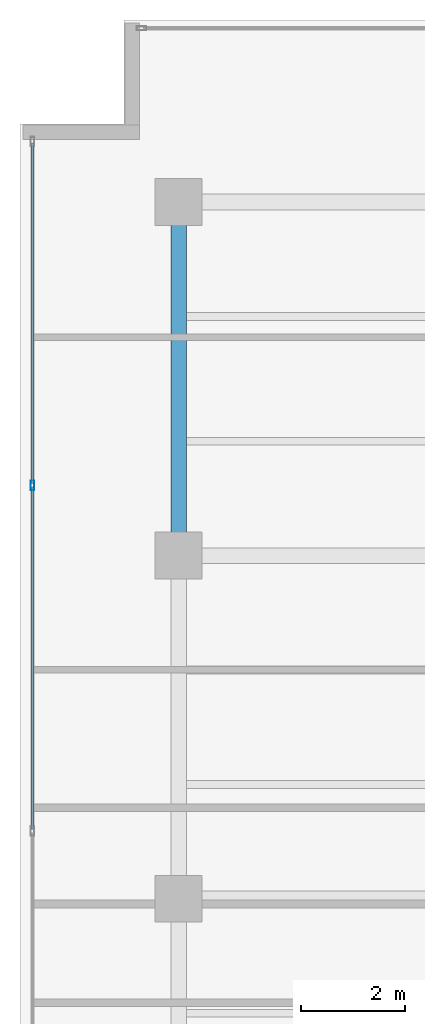
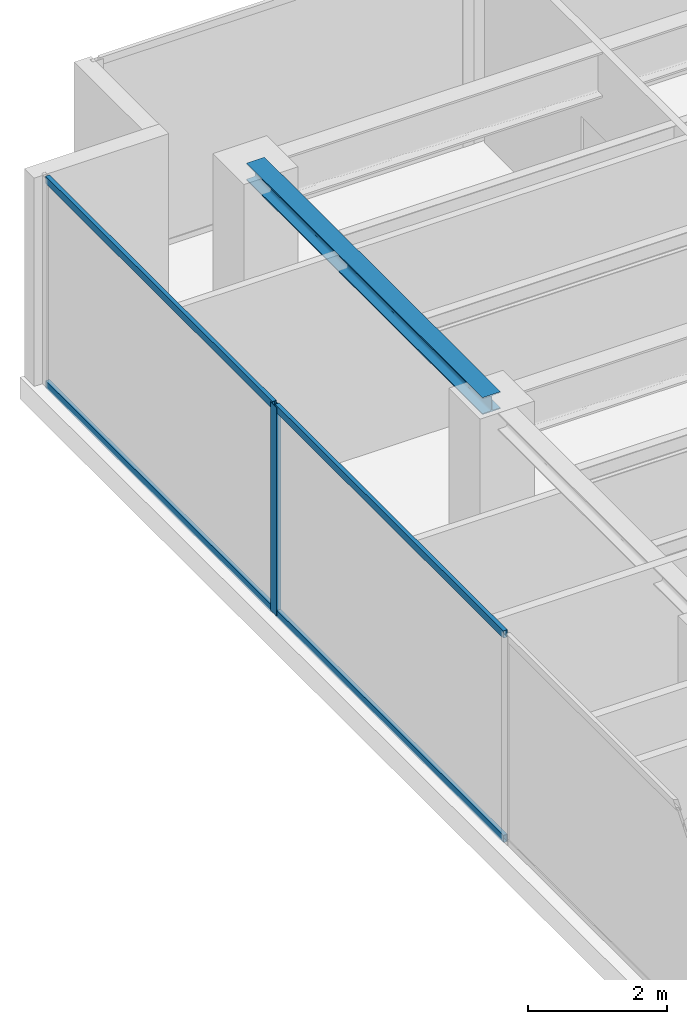
# One storey, part 19 of 31: 5 members, 1 beam, 1 element without a shape of its own.
"""IFC4 building model written with IfcOpenShell, lengths in metres."""

from ifc_helpers import new_model, si_unit, direction, frame, origin, origin_with_axes, origin_2d, place, context, subcontext, project, spatial, hollow_rectangle, i_section, extrude, source, transform, mapped, material, layer, layer_set, material_profile, profile_set, type_object, element, aggregate, save


model = new_model("IFC4")

# Units and contexts
model_context = context("Model", 3, precision=1e-05, world=origin(), true_north=direction((0.0, 1.0)))
body_context = subcontext(model_context, "Body", "Model", "MODEL_VIEW")
ifc_project = project(units=[si_unit("LENGTHUNIT", "METRE"), si_unit("AREAUNIT", "SQUARE_METRE"), si_unit("VOLUMEUNIT", "CUBIC_METRE"), si_unit("PLANEANGLEUNIT", "RADIAN"), si_unit("MASSUNIT", "GRAM", prefix="KILO")], contexts=[model_context])

# Site, building, storey
site_placement = place(None, origin())
site = spatial("IfcSite", under=ifc_project, at=site_placement, CompositionType="ELEMENT")
building_placement = place(site_placement, origin())
building = spatial("IfcBuilding", under=site, at=building_placement, Name="Kolvaren Waterfront Exchange", CompositionType="ELEMENT")
storey_placement = place(building_placement, frame((0.0, 0.0, 344.199951171875)))
storey = spatial("IfcBuildingStorey", under=building, at=storey_placement, Name="L88", CompositionType="ELEMENT", Elevation=344.199951171875)

# Beam
ifc_material_1 = material(Name="Steel S355", Category="steel")
ifc_material_profile_1 = material_profile(ifc_material_1, i_section(OverallWidth=0.300048828125, OverallDepth=0.300048828125, WebThickness=0.010986328125, FlangeThickness=0.01904296875, FilletRadius=0.027099609375, at=origin_2d()), Name="HEB300")
ifc_profile_set_1 = profile_set([ifc_material_profile_1], Name="Steel S355")
beam_type = type_object("IfcBeamType", Name="STR-BM-HEB300", PredefinedType="SPANDREL", material=ifc_profile_set_1)
beam_placement = place(storey_placement, frame((7.449951171875, 37.800048828125, 3.510009765625), z_axis=(0.0, 1.0, 0.0), x_axis=(-1.0, 0.0, 0.0)))
element("IfcBeam", 1, at=beam_placement, inside=storey, type_object=beam_type, Name="L88 north-arm edge beam 3", PredefinedType="SPANDREL", context=body_context, shape_type="SweptSolid", body=[
    extrude(i_section(OverallWidth=0.300048828125, OverallDepth=0.300048828125, WebThickness=0.010986328125, FlangeThickness=0.01904296875, FilletRadius=0.027099609375, at=origin_2d()), origin(), (0.0, 0.0, 1.0), 6.800048828125),
])

# Curtain wall, members
ifc_material_2 = material(Name="Anodised bronze aluminium 6063-T6", Category="aluminium")
ifc_layer = layer(ifc_material_2, 0.219970703125, Name="Anodised bronze aluminium 6063-T6")
ifc_layer_set = layer_set([ifc_layer], Name="Anodised bronze aluminium 6063-T6")
curtain_wall_type = type_object("IfcCurtainWallType", Name="ARC-CW-SYS5", PredefinedType="USERDEFINED", material=ifc_layer_set)
curtain_wall_placement = place(storey_placement, origin())
curtain_wall = element("IfcCurtainWall", 2, at=curtain_wall_placement, inside=storey, type_object=curtain_wall_type, Name="L88 stick curtain wall CW5 (CW-L88-W)", ObjectType="STICK CURTAIN WALL", PredefinedType="USERDEFINED")
ifc_material_profile_2 = material_profile(ifc_material_2, hollow_rectangle(XDim=0.074951171875, YDim=0.179931640625, WallThickness=0.00439453125, at=origin_2d()), Name="ALU-MUL-180x75x4.5")
ifc_profile_set_2 = profile_set([ifc_material_profile_2], Name="Anodised bronze aluminium 6063-T6")
member_type_1 = type_object("IfcMemberType", Name="ARC-CWM-180", PredefinedType="MULLION", material=ifc_profile_set_2)
shared_shape_1 = source(origin_with_axes(), body_context, "Body", "SweptSolid", [
    extrude(hollow_rectangle(XDim=0.074951171875, YDim=0.179931640625, WallThickness=0.00439453125, at=origin_2d()), origin(), (0.0, 0.0, 1.0), 3.66015625),
])
member_1_placement = place(storey_placement, frame((4.639892578125, 39.14990234375, 0.0), z_axis=(0.0, 0.0, 1.0), x_axis=(-1.0, 0.0, 0.0)))
member_1 = element("IfcMember", 3, at=member_1_placement, type_object=member_type_1, Name="CW5 mullion 6", PredefinedType="MULLION", context=body_context, shape_type="MappedRepresentation", body=[
    mapped(shared_shape_1, transform((0.0, 0.0, 0.0), x_axis=(1.0, 0.0, 0.0), y_axis=(0.0, 1.0, 0.0), z_axis=(0.0, 0.0, 1.0), scale=1.0)),
])
ifc_material_profile_3 = material_profile(ifc_material_2, hollow_rectangle(XDim=0.06494140625, YDim=0.1298828125, WallThickness=0.00390625, at=origin_2d()), Name="ALU-TRN-130x65x4")
ifc_profile_set_3 = profile_set([ifc_material_profile_3], Name="Anodised bronze aluminium 6063-T6")
member_type_2 = type_object("IfcMemberType", Name="ARC-CWT-130", PredefinedType="USERDEFINED", material=ifc_profile_set_3)
shared_shape_2 = source(origin_with_axes(), body_context, "Body", "SweptSolid", [
    extrude(hollow_rectangle(XDim=0.06494140625, YDim=0.1298828125, WallThickness=0.00390625, at=origin_2d()), origin(), (0.0, 0.0, 1.0), 6.574951171875),
])
member_2_placement = place(storey_placement, frame((4.639892578125, 32.53759765625, 0.032470703125), z_axis=(0.0, 1.0, 0.0), x_axis=(-1.0, 0.0, 0.0)))
member_2 = element("IfcMember", 4, at=member_2_placement, type_object=member_type_2, Name="CW5 transom 5.1", ObjectType="TRANSOM", PredefinedType="USERDEFINED", context=body_context, shape_type="MappedRepresentation", body=[
    mapped(shared_shape_2, transform((0.0, 0.0, 0.0), x_axis=(1.0, 0.0, 0.0), y_axis=(0.0, 1.0, 0.0), z_axis=(0.0, 0.0, 1.0), scale=1.0)),
])
member_3_placement = place(storey_placement, frame((4.639892578125, 32.53759765625, 3.62744140625), z_axis=(0.0, 1.0, 0.0), x_axis=(-1.0, 0.0, 0.0)))
member_3 = element("IfcMember", 5, at=member_3_placement, type_object=member_type_2, Name="CW5 transom 5.2", ObjectType="TRANSOM", PredefinedType="USERDEFINED", context=body_context, shape_type="MappedRepresentation", body=[
    mapped(shared_shape_2, transform((0.0, 0.0, 0.0), x_axis=(1.0, 0.0, 0.0), y_axis=(0.0, 1.0, 0.0), z_axis=(0.0, 0.0, 1.0), scale=1.0)),
])
shared_shape_3 = source(origin_with_axes(), body_context, "Body", "SweptSolid", [
    extrude(hollow_rectangle(XDim=0.06494140625, YDim=0.1298828125, WallThickness=0.00390625, at=origin_2d()), origin(), (0.0, 0.0, 1.0), 6.53759765625),
])
member_4_placement = place(storey_placement, frame((4.639892578125, 39.1875, 0.032470703125), z_axis=(0.0, 1.0, 0.0), x_axis=(-1.0, 0.0, 0.0)))
member_4 = element("IfcMember", 6, at=member_4_placement, type_object=member_type_2, Name="CW5 transom 6.1", ObjectType="TRANSOM", PredefinedType="USERDEFINED", context=body_context, shape_type="MappedRepresentation", body=[
    mapped(shared_shape_3, transform((0.0, 0.0, 0.0), x_axis=(1.0, 0.0, 0.0), y_axis=(0.0, 1.0, 0.0), z_axis=(0.0, 0.0, 1.0), scale=1.0)),
])
member_5_placement = place(storey_placement, frame((4.639892578125, 39.1875, 3.62744140625), z_axis=(0.0, 1.0, 0.0), x_axis=(-1.0, 0.0, 0.0)))
member_5 = element("IfcMember", 7, at=member_5_placement, type_object=member_type_2, Name="CW5 transom 6.2", ObjectType="TRANSOM", PredefinedType="USERDEFINED", context=body_context, shape_type="MappedRepresentation", body=[
    mapped(shared_shape_3, transform((0.0, 0.0, 0.0), x_axis=(1.0, 0.0, 0.0), y_axis=(0.0, 1.0, 0.0), z_axis=(0.0, 0.0, 1.0), scale=1.0)),
])
aggregate(curtain_wall, [member_1, member_2, member_3, member_4, member_5])

save(model, "model.ifc")
